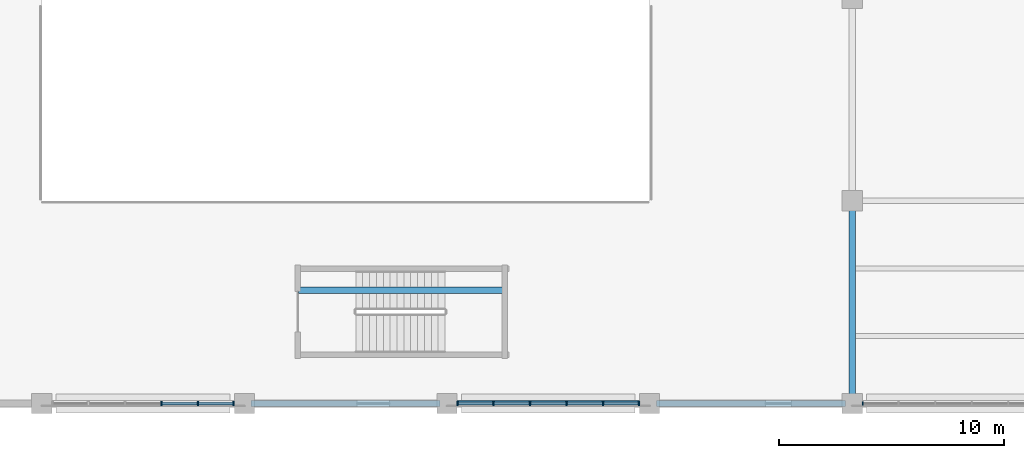
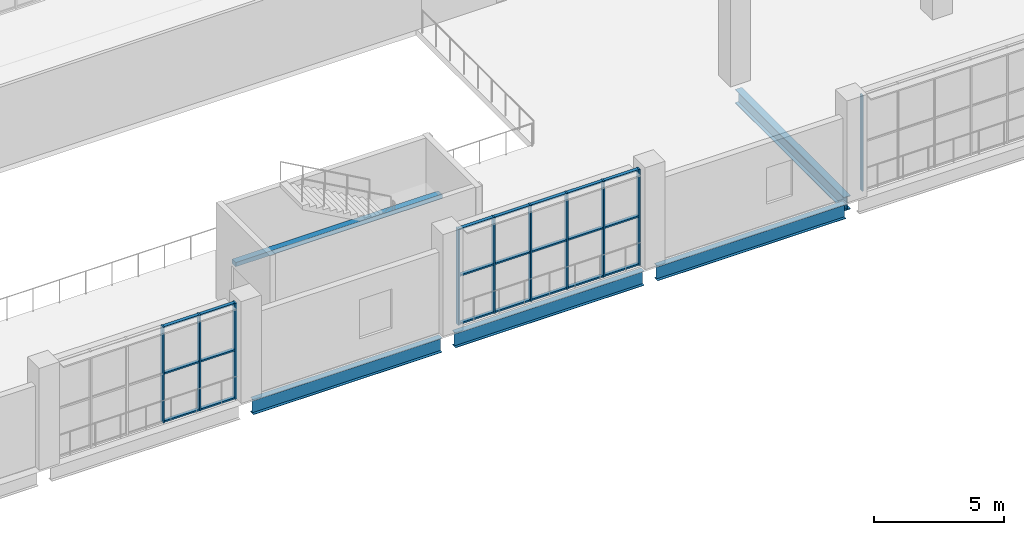
# One storey, part 5 of 183: 31 members, 5 beams, 3 elements without a shape of their own.
"""IFC4 building model written with IfcOpenShell, lengths in metres."""

import ifcopenshell
import ifcopenshell.guid

model = None  # the IFC model being written
_history = None  # IfcOwnerHistory: only IFC2X3 demands one
_inside = {}  # id of a spatial element -> (the spatial element, [elements in it])
_under = {}  # id of a project, library or spatial element -> (it, [spatial elements below it])
_declared = {}  # id of a project -> (the project, [libraries it declares])
_typed = {}  # id of a type object -> (the type object, [elements of that type])
_made_of = {}  # id of a material, layer set ... -> (it, [elements and type objects made of it])


def new_model(schema):
    """Start an empty IFC model of exactly this schema.

    Asked for "IFC4X3", IfcOpenShell would pick the latest addendum, in which some entities
    have other attributes; the version numbers below select the first issue.
    IFC2X3 requires an IfcOwnerHistory on every rooted entity: one is made here for all.
    """
    global model, _history
    if schema == "IFC4X3":
        model = ifcopenshell.file(schema_version=(4, 3, 0, 0))
    else:
        model = ifcopenshell.file(schema=schema)
    _inside.clear()
    _under.clear()
    _declared.clear()
    _typed.clear()
    _made_of.clear()
    _history = None
    if model.schema == "IFC2X3":
        org = make("IfcOrganization", Name="unknown")
        user = make(
            "IfcPersonAndOrganization",
            ThePerson=make("IfcPerson", FamilyName="unknown"),
            TheOrganization=org,
        )
        app = make(
            "IfcApplication",
            ApplicationDeveloper=org,
            Version="unknown",
            ApplicationFullName="unknown",
            ApplicationIdentifier="unknown",
        )
        _history = make(
            "IfcOwnerHistory",
            OwningUser=user,
            OwningApplication=app,
            ChangeAction="ADDED",
            CreationDate=0,
        )
    return model


def make(cls, **values):
    """One entity of the class cls with the attributes given. An attribute that is None is left unset."""
    return model.create_entity(
        cls, **{name: value for name, value in values.items() if value is not None}
    )


def rooted(cls, **values):
    """An entity with a GlobalId (a new one), such as an element, a storey or a relation."""
    return make(cls, GlobalId=ifcopenshell.guid.new(), OwnerHistory=_history, **values)


def si_unit(unit_type, name, prefix=None):
    """IfcSIUnit, for example si_unit("LENGTHUNIT", "METRE", prefix="MILLI")."""
    return make("IfcSIUnit", UnitType=unit_type, Prefix=prefix, Name=name)


def assignment(units):
    """IfcUnitAssignment: the units of a project."""
    return None if units is None else make("IfcUnitAssignment", Units=units)


def point(xyz):
    """IfcCartesianPoint."""
    return None if xyz is None else make("IfcCartesianPoint", Coordinates=xyz)


def direction(xyz):
    """IfcDirection."""
    return None if xyz is None else make("IfcDirection", DirectionRatios=xyz)


def frame(location, z_axis=None, x_axis=None):
    """IfcAxis2Placement3D, a coordinate frame: its origin and axes. An axis left out is left unset."""
    return make(
        "IfcAxis2Placement3D",
        Location=point(location),
        Axis=direction(z_axis),
        RefDirection=direction(x_axis),
    )


def frame_2d(location, x_axis=None):
    """IfcAxis2Placement2D, a coordinate frame in the plane: its origin and x axis."""
    return make(
        "IfcAxis2Placement2D", Location=point(location), RefDirection=direction(x_axis)
    )


def origin():
    """The frame at (0, 0, 0) with its axes left unset."""
    return frame((0.0, 0.0, 0.0))


def origin_2d():
    """The frame at (0, 0) in the plane with its x axis left unset."""
    return frame_2d((0.0, 0.0))


def place(relative_to, where):
    """IfcLocalPlacement: puts the frame where relative to a parent placement (None: the world)."""
    return make(
        "IfcLocalPlacement", PlacementRelTo=relative_to, RelativePlacement=where
    )


def context(
    kind, dimensions, precision=None, world=None, true_north=None, identifier=None
):
    """IfcGeometricRepresentationContext, for example the 3D "Model" context."""
    return make(
        "IfcGeometricRepresentationContext",
        ContextIdentifier=identifier,
        ContextType=kind,
        CoordinateSpaceDimension=dimensions,
        Precision=precision,
        WorldCoordinateSystem=world,
        TrueNorth=true_north,
    )


def subcontext(parent, identifier, kind, view, scale=None):
    """IfcGeometricRepresentationSubContext, for example "Body" below "Model"."""
    return make(
        "IfcGeometricRepresentationSubContext",
        ContextIdentifier=identifier,
        ContextType=kind,
        ParentContext=parent,
        TargetScale=scale,
        TargetView=view,
    )


def project(units=None, contexts=None):
    """IfcProject with its units and contexts."""
    return rooted(
        "IfcProject",
        Name="project",
        RepresentationContexts=contexts,
        UnitsInContext=assignment(units),
    )


def spatial(cls, under=None, at=None, **own):
    """A site, building, storey or space (cls), placed at a placement, below another one or the project."""
    s = rooted(cls, ObjectPlacement=at, **own)
    if under is not None:
        _under.setdefault(under.id(), (under, []))[1].append(s)
    return s


def profile(cls, at=None, kind="AREA", **sizes):
    """A parametric profile (cls). Its sizes go by their IFC names, for example OverallWidth=200.0."""
    return make(cls, ProfileType=kind, Position=at, **sizes)


def rectangle(**sizes):
    """IfcRectangleProfileDef."""
    return profile("IfcRectangleProfileDef", **sizes)


def i_section(**sizes):
    """IfcIShapeProfileDef."""
    return profile("IfcIShapeProfileDef", **sizes)


def extrude(swept, where, along, depth):
    """IfcExtrudedAreaSolid: the profile swept, set in the frame where, extruded along a direction by depth."""
    return make(
        "IfcExtrudedAreaSolid",
        SweptArea=swept,
        Position=where,
        ExtrudedDirection=direction(along),
        Depth=depth,
    )


def shape(context_of_items, identifier, shape_type, items):
    """IfcShapeRepresentation: the items that make up one representation, for example the "Body"."""
    return make(
        "IfcShapeRepresentation",
        ContextOfItems=context_of_items,
        RepresentationIdentifier=identifier,
        RepresentationType=shape_type,
        Items=items,
    )


def material(Name=None, Category=None):
    """IfcMaterial."""
    return make("IfcMaterial", Name=Name, Category=Category)


def material_profile(
    of_material, cross_section, Name=None, Category=None, Priority=None
):
    """IfcMaterialProfile: a cross section and its material."""
    return make(
        "IfcMaterialProfile",
        Name=Name,
        Material=of_material,
        Profile=cross_section,
        Priority=Priority,
        Category=Category,
    )


def profile_set(profiles, Name=None, composite=None):
    """IfcMaterialProfileSet."""
    return make(
        "IfcMaterialProfileSet",
        Name=Name,
        MaterialProfiles=profiles,
        CompositeProfile=composite,
    )


def made_of(thing, what):
    """Note that an element or type object is made of a material, layer set ...; save() writes the relation."""
    if what is not None:
        _made_of.setdefault(what.id(), (what, []))[1].append(thing)
    return thing


def type_object(cls, material=None, **own):
    """A type object (cls), such as IfcWallType, which elements share."""
    return made_of(rooted(cls, **own), material)


def element(
    cls,
    number,
    at=None,
    inside=None,
    cuts=None,
    type_object=None,
    material=None,
    context=None,
    identifier="Body",
    shape_type=None,
    held_by="IfcProductDefinitionShape",
    body=None,
    shapes=None,
    **own,
):
    """One element of the class cls, such as IfcWall. Its Tag is "e" and its number.

    at: its placement. inside: the storey or other place that contains it. cuts: it is an
    opening in that element (IfcRelVoidsElement). A single representation is given by context,
    identifier, shape_type and body (its items); several are given by shapes. held_by: the class
    of the entity that holds the representations. save() writes the other relations.
    """
    e = rooted(cls, Tag="e%d" % number, ObjectPlacement=at, **own)
    if body is not None:
        shapes = [shape(context, identifier, shape_type, body)]
    if shapes is not None:
        e.Representation = make(held_by, Representations=shapes)
    if inside is not None:
        _inside.setdefault(inside.id(), (inside, []))[1].append(e)
    if cuts is not None:
        rooted(
            "IfcRelVoidsElement", RelatingBuildingElement=cuts, RelatedOpeningElement=e
        )
    if type_object is not None:
        _typed.setdefault(type_object.id(), (type_object, []))[1].append(e)
    return made_of(e, material)


def aggregate(whole, parts):
    """IfcRelAggregates: a whole, such as a stair, and the parts it consists of."""
    return rooted("IfcRelAggregates", RelatingObject=whole, RelatedObjects=parts)


def save(model, path):
    """Write the relations noted so far, then the file.

    IfcRelAggregates (storeys below a building ...), IfcRelContainedInSpatialStructure (elements
    in a storey), IfcRelDefinesByType, IfcRelAssociatesMaterial and IfcRelDeclares: one each for
    every whole, place, type object, material and project.
    """
    for whole, parts in _under.values():
        aggregate(whole, parts)
    for where, things in _inside.values():
        rooted(
            "IfcRelContainedInSpatialStructure",
            RelatedElements=things,
            RelatingStructure=where,
        )
    for kind, things in _typed.values():
        rooted("IfcRelDefinesByType", RelatedObjects=things, RelatingType=kind)
    for what, things in _made_of.values():
        rooted("IfcRelAssociatesMaterial", RelatedObjects=things, RelatingMaterial=what)
    for by, libraries in _declared.values():
        rooted("IfcRelDeclares", RelatingContext=by, RelatedDefinitions=libraries)
    model.write(path)


model = new_model("IFC4")

# Units and contexts
model_context = context("Model", 3, precision=1e-05, world=origin(), true_north=direction((0.0, 1.0)))
body_context = subcontext(model_context, "Body", "Model", "MODEL_VIEW")
ifc_project = project(units=[si_unit("LENGTHUNIT", "METRE"), si_unit("AREAUNIT", "SQUARE_METRE"), si_unit("VOLUMEUNIT", "CUBIC_METRE"), si_unit("PLANEANGLEUNIT", "RADIAN"), si_unit("MASSUNIT", "GRAM", prefix="KILO")], contexts=[model_context])

# Site, building, storey
site_placement = place(None, origin())
site = spatial("IfcSite", under=ifc_project, at=site_placement, CompositionType="ELEMENT")
building_placement = place(site_placement, origin())
building = spatial("IfcBuilding", under=site, at=building_placement, Name="Zevraka Park Crest Stadium", CompositionType="ELEMENT")
storey_placement = place(building_placement, frame((0.0, 0.0, 5.39990234375)))
storey = spatial("IfcBuildingStorey", under=building, at=storey_placement, Name="L01", CompositionType="ELEMENT", Elevation=5.39990234375)

# Beams
ifc_material_1 = material(Name="Steel S355", Category="steel")
ifc_material_profile_1 = material_profile(ifc_material_1, i_section(OverallWidth=0.253662109375, OverallDepth=0.68359375, WebThickness=0.012451171875, FlangeThickness=0.01904296875, at=origin_2d()), Name="UKB 686x254x140")
ifc_profile_set_1 = profile_set([ifc_material_profile_1], Name="Steel S355")
beam_type_1 = type_object("IfcBeamType", Name="BG05", PredefinedType="BEAM", material=ifc_profile_set_1)
for number, where, z_axis, x_axis, name in (
    (1, (36.300048828125, 0.0, -0.649658203125), (1.0, 0.0, 0.0), (0.0, 1.0, 0.0), "Wing Girder BG05 L01-56/A"),
    (2, (45.300048828125, 0.0, -0.649658203125), (1.0, 0.0, 0.0), (0.0, 1.0, 0.0), "Wing Girder BG05 L01-67/A"),
    (3, (54.300048828125, 0.0, -0.649658203125), (1.0, 0.0, 0.0), (0.0, 1.0, 0.0), "Wing Girder BG05 L01-78/A"),
):
    element("IfcBeam", number, at=place(storey_placement, frame(where, z_axis=z_axis, x_axis=x_axis)), inside=storey, type_object=beam_type_1, Name=name, PredefinedType="BEAM", context=body_context, shape_type="SweptSolid", body=[
        extrude(i_section(OverallWidth=0.253662109375, OverallDepth=0.68359375, WebThickness=0.012451171875, FlangeThickness=0.01904296875, at=origin_2d()), origin(), (0.0, 0.0, 1.0), 8.39990234375),
    ])
ifc_material_2 = material(Name="Steel S355", Category="steel")
ifc_material_profile_2 = material_profile(ifc_material_2, i_section(OverallWidth=0.300048828125, OverallDepth=0.64990234375, WebThickness=0.01611328125, FlangeThickness=0.031005859375, at=origin_2d()), Name="HEB 650")
ifc_profile_set_2 = profile_set([ifc_material_profile_2], Name="Steel S355")
beam_type_2 = type_object("IfcBeamType", Name="BG07", PredefinedType="BEAM", material=ifc_profile_set_2)
beam_1_placement = place(storey_placement, frame((63.0, 0.300048828125, -0.6328125), z_axis=(0.0, 1.0, 0.0), x_axis=(-1.0, 0.0, 0.0)))
element("IfcBeam", 4, at=beam_1_placement, inside=storey, type_object=beam_type_2, Name="Wing Girder BG07 L01-8/AB", PredefinedType="BEAM", context=body_context, shape_type="SweptSolid", body=[
    extrude(i_section(OverallWidth=0.300048828125, OverallDepth=0.64990234375, WebThickness=0.01611328125, FlangeThickness=0.031005859375, at=origin_2d()), origin(), (0.0, 0.0, 1.0), 8.39990234375),
])

# Curtain wall, member
ifc_material_3 = material(Name="Anodised architectural aluminium and laminated safety glass", Category="aluminium")
curtain_wall_type_1 = type_object("IfcCurtainWallType", Name="CW28", PredefinedType="NOTDEFINED", material=ifc_material_3)
curtain_wall_1_placement = place(storey_placement, origin())
curtain_wall_1 = element("IfcCurtainWall", 5, at=curtain_wall_1_placement, inside=storey, type_object=curtain_wall_type_1, Name="Wing Curtain Wall CW28 L01-SW-S1-2", PredefinedType="NOTDEFINED")
ifc_material_4 = material(Name="Anodised architectural aluminium", Category="aluminium")
ifc_material_profile_3 = material_profile(ifc_material_4, rectangle(XDim=0.159912109375, YDim=0.06005859375, at=origin_2d()), Name="ALU MULLION 160x60")
ifc_profile_set_3 = profile_set([ifc_material_profile_3], Name="Anodised architectural aluminium")
member_type_1 = type_object("IfcMemberType", Name="CM01", PredefinedType="MULLION", material=ifc_profile_set_3)
member_1_placement = place(storey_placement, frame((63.469970703125, 0.0, 0.0), z_axis=(0.0, 0.0, 1.0), x_axis=(0.0, -1.0, 0.0)))
member_1 = element("IfcMember", 6, at=member_1_placement, type_object=member_type_1, Name="CW28 mullion 6", PredefinedType="MULLION", context=body_context, shape_type="SweptSolid", body=[
    extrude(rectangle(XDim=0.159912109375, YDim=0.06005859375, at=origin_2d()), origin(), (0.0, 0.0, 1.0), 4.52001953125),
])
aggregate(curtain_wall_1, [member_1])

# Curtain wall, members
ifc_material_5 = material(Name="Anodised architectural aluminium and laminated safety glass", Category="aluminium")
curtain_wall_type_2 = type_object("IfcCurtainWallType", Name="CW30", PredefinedType="NOTDEFINED", material=ifc_material_5)
curtain_wall_2_placement = place(storey_placement, origin())
curtain_wall_2 = element("IfcCurtainWall", 7, at=curtain_wall_2_placement, inside=storey, type_object=curtain_wall_type_2, Name="Wing Curtain Wall CW30 L01-SW-S1-4", PredefinedType="NOTDEFINED")
ifc_material_6 = material(Name="Anodised architectural aluminium", Category="aluminium")
ifc_material_profile_4 = material_profile(ifc_material_6, rectangle(XDim=0.199951171875, YDim=0.070068359375, at=origin_2d()), Name="ALU MULLION 200x70")
ifc_profile_set_4 = profile_set([ifc_material_profile_4], Name="Anodised architectural aluminium")
member_type_2 = type_object("IfcMemberType", Name="CM03", PredefinedType="MULLION", material=ifc_profile_set_4)
member_2_placement = place(storey_placement, frame((53.52490234375, 0.0, 0.0), z_axis=(0.0, 0.0, 1.0), x_axis=(0.0, -1.0, 0.0)))
member_2 = element("IfcMember", 8, at=member_2_placement, type_object=member_type_2, Name="CW30 mullion 1", PredefinedType="MULLION", context=body_context, shape_type="SweptSolid", body=[
    extrude(rectangle(XDim=0.199951171875, YDim=0.070068359375, at=origin_2d()), origin(), (0.0, 0.0, 1.0), 4.52001953125),
])
member_3_placement = place(storey_placement, frame((51.93603515625, 0.0, 0.0), z_axis=(0.0, 0.0, 1.0), x_axis=(0.0, -1.0, 0.0)))
member_3 = element("IfcMember", 9, at=member_3_placement, type_object=member_type_2, Name="CW30 mullion 2", PredefinedType="MULLION", context=body_context, shape_type="SweptSolid", body=[
    extrude(rectangle(XDim=0.199951171875, YDim=0.070068359375, at=origin_2d()), origin(), (0.0, 0.0, 1.0), 4.52001953125),
])
member_4_placement = place(storey_placement, frame((50.31201171875, 0.0, 0.0), z_axis=(0.0, 0.0, 1.0), x_axis=(0.0, -1.0, 0.0)))
member_4 = element("IfcMember", 10, at=member_4_placement, type_object=member_type_2, Name="CW30 mullion 3", PredefinedType="MULLION", context=body_context, shape_type="SweptSolid", body=[
    extrude(rectangle(XDim=0.199951171875, YDim=0.070068359375, at=origin_2d()), origin(), (0.0, 0.0, 1.0), 4.52001953125),
])
member_5_placement = place(storey_placement, frame((48.68798828125, 0.0, 0.0), z_axis=(0.0, 0.0, 1.0), x_axis=(0.0, -1.0, 0.0)))
member_5 = element("IfcMember", 11, at=member_5_placement, type_object=member_type_2, Name="CW30 mullion 4", PredefinedType="MULLION", context=body_context, shape_type="SweptSolid", body=[
    extrude(rectangle(XDim=0.199951171875, YDim=0.070068359375, at=origin_2d()), origin(), (0.0, 0.0, 1.0), 4.52001953125),
])
member_6_placement = place(storey_placement, frame((47.06396484375, 0.0, 0.0), z_axis=(0.0, 0.0, 1.0), x_axis=(0.0, -1.0, 0.0)))
member_6 = element("IfcMember", 12, at=member_6_placement, type_object=member_type_2, Name="CW30 mullion 5", PredefinedType="MULLION", context=body_context, shape_type="SweptSolid", body=[
    extrude(rectangle(XDim=0.199951171875, YDim=0.070068359375, at=origin_2d()), origin(), (0.0, 0.0, 1.0), 4.52001953125),
])
member_7_placement = place(storey_placement, frame((45.47509765625, 0.0, 0.0), z_axis=(0.0, 0.0, 1.0), x_axis=(0.0, -1.0, 0.0)))
member_7 = element("IfcMember", 13, at=member_7_placement, type_object=member_type_2, Name="CW30 mullion 6", PredefinedType="MULLION", context=body_context, shape_type="SweptSolid", body=[
    extrude(rectangle(XDim=0.199951171875, YDim=0.070068359375, at=origin_2d()), origin(), (0.0, 0.0, 1.0), 4.52001953125),
])

ifc_material_7 = material(Name="Anodised architectural aluminium and laminated safety glass", Category="aluminium")
curtain_wall_type_3 = type_object("IfcCurtainWallType", Name="CW27", PredefinedType="NOTDEFINED", material=ifc_material_7)
curtain_wall_3_placement = place(storey_placement, origin())
curtain_wall_3 = element("IfcCurtainWall", 14, at=curtain_wall_3_placement, inside=storey, type_object=curtain_wall_type_3, Name="Wing Curtain Wall CW27 L01-SW-S1-6", PredefinedType="NOTDEFINED")
member_8_placement = place(storey_placement, frame((35.52490234375, 0.0, 0.0), z_axis=(0.0, 0.0, 1.0), x_axis=(0.0, -1.0, 0.0)))
member_8 = element("IfcMember", 15, at=member_8_placement, type_object=member_type_2, Name="CW27 mullion 1", PredefinedType="MULLION", context=body_context, shape_type="SweptSolid", body=[
    extrude(rectangle(XDim=0.199951171875, YDim=0.070068359375, at=origin_2d()), origin(), (0.0, 0.0, 1.0), 4.52001953125),
])
member_9_placement = place(storey_placement, frame((33.93603515625, 0.0, 0.0), z_axis=(0.0, 0.0, 1.0), x_axis=(0.0, -1.0, 0.0)))
member_9 = element("IfcMember", 16, at=member_9_placement, type_object=member_type_2, Name="CW27 mullion 2", PredefinedType="MULLION", context=body_context, shape_type="SweptSolid", body=[
    extrude(rectangle(XDim=0.199951171875, YDim=0.070068359375, at=origin_2d()), origin(), (0.0, 0.0, 1.0), 4.52001953125),
])
member_10_placement = place(storey_placement, frame((32.31201171875, 0.0, 0.0), z_axis=(0.0, 0.0, 1.0), x_axis=(0.0, -1.0, 0.0)))
member_10 = element("IfcMember", 17, at=member_10_placement, type_object=member_type_2, Name="CW27 mullion 3", PredefinedType="MULLION", context=body_context, shape_type="SweptSolid", body=[
    extrude(rectangle(XDim=0.199951171875, YDim=0.070068359375, at=origin_2d()), origin(), (0.0, 0.0, 1.0), 4.52001953125),
])

# Member
ifc_material_8 = material(Name="Anodised architectural aluminium", Category="aluminium")
ifc_material_profile_5 = material_profile(ifc_material_8, rectangle(XDim=0.14990234375, YDim=0.070068359375, at=origin_2d()), Name="ALU TRANSOM 150x70")
ifc_profile_set_5 = profile_set([ifc_material_profile_5], Name="Anodised architectural aluminium")
member_type_3 = type_object("IfcMemberType", Name="CT03", PredefinedType="USERDEFINED", material=ifc_profile_set_5)
member_11_placement = place(storey_placement, frame((53.489990234375, 0.0, 0.03515625), z_axis=(-1.0, 0.0, 0.0), x_axis=(0.0, -1.0, 0.0)))
member_11 = element("IfcMember", 18, at=member_11_placement, type_object=member_type_3, Name="CW30 transom 1.1", ObjectType="TRANSOM", PredefinedType="USERDEFINED", context=body_context, shape_type="SweptSolid", body=[
    extrude(rectangle(XDim=0.14990234375, YDim=0.070068359375, at=origin_2d()), origin(), (0.0, 0.0, 1.0), 1.51904296875),
])

member_12_placement = place(storey_placement, frame((53.489990234375, 0.0, 2.300048828125), z_axis=(-1.0, 0.0, 0.0), x_axis=(0.0, -1.0, 0.0)))
member_12 = element("IfcMember", 19, at=member_12_placement, type_object=member_type_3, Name="CW30 transom 1.2", ObjectType="TRANSOM", PredefinedType="USERDEFINED", context=body_context, shape_type="SweptSolid", body=[
    extrude(rectangle(XDim=0.14990234375, YDim=0.070068359375, at=origin_2d()), origin(), (0.0, 0.0, 1.0), 1.51904296875),
])

member_13_placement = place(storey_placement, frame((53.489990234375, 0.0, 4.485107421875), z_axis=(-1.0, 0.0, 0.0), x_axis=(0.0, -1.0, 0.0)))
member_13 = element("IfcMember", 20, at=member_13_placement, type_object=member_type_3, Name="CW30 transom 1.3", ObjectType="TRANSOM", PredefinedType="USERDEFINED", context=body_context, shape_type="SweptSolid", body=[
    extrude(rectangle(XDim=0.14990234375, YDim=0.070068359375, at=origin_2d()), origin(), (0.0, 0.0, 1.0), 1.51904296875),
])

member_14_placement = place(storey_placement, frame((51.90087890625, 0.0, 0.03515625), z_axis=(-1.0, 0.0, 0.0), x_axis=(0.0, -1.0, 0.0)))
member_14 = element("IfcMember", 21, at=member_14_placement, type_object=member_type_3, Name="CW30 transom 2.1", ObjectType="TRANSOM", PredefinedType="USERDEFINED", context=body_context, shape_type="SweptSolid", body=[
    extrude(rectangle(XDim=0.14990234375, YDim=0.070068359375, at=origin_2d()), origin(), (0.0, 0.0, 1.0), 1.553955078125),
])

member_15_placement = place(storey_placement, frame((51.90087890625, 0.0, 2.300048828125), z_axis=(-1.0, 0.0, 0.0), x_axis=(0.0, -1.0, 0.0)))
member_15 = element("IfcMember", 22, at=member_15_placement, type_object=member_type_3, Name="CW30 transom 2.2", ObjectType="TRANSOM", PredefinedType="USERDEFINED", context=body_context, shape_type="SweptSolid", body=[
    extrude(rectangle(XDim=0.14990234375, YDim=0.070068359375, at=origin_2d()), origin(), (0.0, 0.0, 1.0), 1.553955078125),
])

member_16_placement = place(storey_placement, frame((51.90087890625, 0.0, 4.485107421875), z_axis=(-1.0, 0.0, 0.0), x_axis=(0.0, -1.0, 0.0)))
member_16 = element("IfcMember", 23, at=member_16_placement, type_object=member_type_3, Name="CW30 transom 2.3", ObjectType="TRANSOM", PredefinedType="USERDEFINED", context=body_context, shape_type="SweptSolid", body=[
    extrude(rectangle(XDim=0.14990234375, YDim=0.070068359375, at=origin_2d()), origin(), (0.0, 0.0, 1.0), 1.553955078125),
])

member_17_placement = place(storey_placement, frame((50.277099609375, 0.0, 0.03515625), z_axis=(-1.0, 0.0, 0.0), x_axis=(0.0, -1.0, 0.0)))
member_17 = element("IfcMember", 24, at=member_17_placement, type_object=member_type_3, Name="CW30 transom 3.1", ObjectType="TRANSOM", PredefinedType="USERDEFINED", context=body_context, shape_type="SweptSolid", body=[
    extrude(rectangle(XDim=0.14990234375, YDim=0.070068359375, at=origin_2d()), origin(), (0.0, 0.0, 1.0), 1.55419921875),
])

member_18_placement = place(storey_placement, frame((50.277099609375, 0.0, 2.300048828125), z_axis=(-1.0, 0.0, 0.0), x_axis=(0.0, -1.0, 0.0)))
member_18 = element("IfcMember", 25, at=member_18_placement, type_object=member_type_3, Name="CW30 transom 3.2", ObjectType="TRANSOM", PredefinedType="USERDEFINED", context=body_context, shape_type="SweptSolid", body=[
    extrude(rectangle(XDim=0.14990234375, YDim=0.070068359375, at=origin_2d()), origin(), (0.0, 0.0, 1.0), 1.55419921875),
])

member_19_placement = place(storey_placement, frame((50.277099609375, 0.0, 4.485107421875), z_axis=(-1.0, 0.0, 0.0), x_axis=(0.0, -1.0, 0.0)))
member_19 = element("IfcMember", 26, at=member_19_placement, type_object=member_type_3, Name="CW30 transom 3.3", ObjectType="TRANSOM", PredefinedType="USERDEFINED", context=body_context, shape_type="SweptSolid", body=[
    extrude(rectangle(XDim=0.14990234375, YDim=0.070068359375, at=origin_2d()), origin(), (0.0, 0.0, 1.0), 1.55419921875),
])

member_20_placement = place(storey_placement, frame((48.653076171875, 0.0, 0.03515625), z_axis=(-1.0, 0.0, 0.0), x_axis=(0.0, -1.0, 0.0)))
member_20 = element("IfcMember", 27, at=member_20_placement, type_object=member_type_3, Name="CW30 transom 4.1", ObjectType="TRANSOM", PredefinedType="USERDEFINED", context=body_context, shape_type="SweptSolid", body=[
    extrude(rectangle(XDim=0.14990234375, YDim=0.070068359375, at=origin_2d()), origin(), (0.0, 0.0, 1.0), 1.553955078125),
])

member_21_placement = place(storey_placement, frame((48.653076171875, 0.0, 2.300048828125), z_axis=(-1.0, 0.0, 0.0), x_axis=(0.0, -1.0, 0.0)))
member_21 = element("IfcMember", 28, at=member_21_placement, type_object=member_type_3, Name="CW30 transom 4.2", ObjectType="TRANSOM", PredefinedType="USERDEFINED", context=body_context, shape_type="SweptSolid", body=[
    extrude(rectangle(XDim=0.14990234375, YDim=0.070068359375, at=origin_2d()), origin(), (0.0, 0.0, 1.0), 1.553955078125),
])

member_22_placement = place(storey_placement, frame((48.653076171875, 0.0, 4.485107421875), z_axis=(-1.0, 0.0, 0.0), x_axis=(0.0, -1.0, 0.0)))
member_22 = element("IfcMember", 29, at=member_22_placement, type_object=member_type_3, Name="CW30 transom 4.3", ObjectType="TRANSOM", PredefinedType="USERDEFINED", context=body_context, shape_type="SweptSolid", body=[
    extrude(rectangle(XDim=0.14990234375, YDim=0.070068359375, at=origin_2d()), origin(), (0.0, 0.0, 1.0), 1.553955078125),
])

member_23_placement = place(storey_placement, frame((47.029052734375, 0.0, 0.03515625), z_axis=(-1.0, 0.0, 0.0), x_axis=(0.0, -1.0, 0.0)))
member_23 = element("IfcMember", 30, at=member_23_placement, type_object=member_type_3, Name="CW30 transom 5.1", ObjectType="TRANSOM", PredefinedType="USERDEFINED", context=body_context, shape_type="SweptSolid", body=[
    extrude(rectangle(XDim=0.14990234375, YDim=0.070068359375, at=origin_2d()), origin(), (0.0, 0.0, 1.0), 1.51904296875),
])

member_24_placement = place(storey_placement, frame((47.029052734375, 0.0, 2.300048828125), z_axis=(-1.0, 0.0, 0.0), x_axis=(0.0, -1.0, 0.0)))
member_24 = element("IfcMember", 31, at=member_24_placement, type_object=member_type_3, Name="CW30 transom 5.2", ObjectType="TRANSOM", PredefinedType="USERDEFINED", context=body_context, shape_type="SweptSolid", body=[
    extrude(rectangle(XDim=0.14990234375, YDim=0.070068359375, at=origin_2d()), origin(), (0.0, 0.0, 1.0), 1.51904296875),
])

member_25_placement = place(storey_placement, frame((47.029052734375, 0.0, 4.485107421875), z_axis=(-1.0, 0.0, 0.0), x_axis=(0.0, -1.0, 0.0)))
member_25 = element("IfcMember", 32, at=member_25_placement, type_object=member_type_3, Name="CW30 transom 5.3", ObjectType="TRANSOM", PredefinedType="USERDEFINED", context=body_context, shape_type="SweptSolid", body=[
    extrude(rectangle(XDim=0.14990234375, YDim=0.070068359375, at=origin_2d()), origin(), (0.0, 0.0, 1.0), 1.51904296875),
])

aggregate(curtain_wall_2, [member_2, member_3, member_4, member_5, member_6, member_7, member_11, member_12, member_13, member_14, member_15, member_16, member_17, member_18, member_19, member_20, member_21, member_22, member_23, member_24, member_25])

member_26_placement = place(storey_placement, frame((35.489990234375, 0.0, 0.03515625), z_axis=(-1.0, 0.0, 0.0), x_axis=(0.0, -1.0, 0.0)))
member_26 = element("IfcMember", 33, at=member_26_placement, type_object=member_type_3, Name="CW27 transom 1.1", ObjectType="TRANSOM", PredefinedType="USERDEFINED", context=body_context, shape_type="SweptSolid", body=[
    extrude(rectangle(XDim=0.14990234375, YDim=0.070068359375, at=origin_2d()), origin(), (0.0, 0.0, 1.0), 1.51904296875),
])

member_27_placement = place(storey_placement, frame((35.489990234375, 0.0, 2.300048828125), z_axis=(-1.0, 0.0, 0.0), x_axis=(0.0, -1.0, 0.0)))
member_27 = element("IfcMember", 34, at=member_27_placement, type_object=member_type_3, Name="CW27 transom 1.2", ObjectType="TRANSOM", PredefinedType="USERDEFINED", context=body_context, shape_type="SweptSolid", body=[
    extrude(rectangle(XDim=0.14990234375, YDim=0.070068359375, at=origin_2d()), origin(), (0.0, 0.0, 1.0), 1.51904296875),
])

member_28_placement = place(storey_placement, frame((35.489990234375, 0.0, 4.485107421875), z_axis=(-1.0, 0.0, 0.0), x_axis=(0.0, -1.0, 0.0)))
member_28 = element("IfcMember", 35, at=member_28_placement, type_object=member_type_3, Name="CW27 transom 1.3", ObjectType="TRANSOM", PredefinedType="USERDEFINED", context=body_context, shape_type="SweptSolid", body=[
    extrude(rectangle(XDim=0.14990234375, YDim=0.070068359375, at=origin_2d()), origin(), (0.0, 0.0, 1.0), 1.51904296875),
])

member_29_placement = place(storey_placement, frame((33.90087890625, 0.0, 0.03515625), z_axis=(-1.0, 0.0, 0.0), x_axis=(0.0, -1.0, 0.0)))
member_29 = element("IfcMember", 36, at=member_29_placement, type_object=member_type_3, Name="CW27 transom 2.1", ObjectType="TRANSOM", PredefinedType="USERDEFINED", context=body_context, shape_type="SweptSolid", body=[
    extrude(rectangle(XDim=0.14990234375, YDim=0.070068359375, at=origin_2d()), origin(), (0.0, 0.0, 1.0), 1.553955078125),
])

member_30_placement = place(storey_placement, frame((33.90087890625, 0.0, 2.300048828125), z_axis=(-1.0, 0.0, 0.0), x_axis=(0.0, -1.0, 0.0)))
member_30 = element("IfcMember", 37, at=member_30_placement, type_object=member_type_3, Name="CW27 transom 2.2", ObjectType="TRANSOM", PredefinedType="USERDEFINED", context=body_context, shape_type="SweptSolid", body=[
    extrude(rectangle(XDim=0.14990234375, YDim=0.070068359375, at=origin_2d()), origin(), (0.0, 0.0, 1.0), 1.553955078125),
])

member_31_placement = place(storey_placement, frame((33.90087890625, 0.0, 4.485107421875), z_axis=(-1.0, 0.0, 0.0), x_axis=(0.0, -1.0, 0.0)))
member_31 = element("IfcMember", 38, at=member_31_placement, type_object=member_type_3, Name="CW27 transom 2.3", ObjectType="TRANSOM", PredefinedType="USERDEFINED", context=body_context, shape_type="SweptSolid", body=[
    extrude(rectangle(XDim=0.14990234375, YDim=0.070068359375, at=origin_2d()), origin(), (0.0, 0.0, 1.0), 1.553955078125),
])

aggregate(curtain_wall_3, [member_8, member_9, member_10, member_26, member_27, member_28, member_29, member_30, member_31])

# Beam
ifc_material_9 = material(Name="Concrete C40/50", Category="concrete")
ifc_material_profile_6 = material_profile(ifc_material_9, rectangle(XDim=0.280029296875, YDim=0.199951171875, at=origin_2d()), Name="RC 200x280")
ifc_profile_set_6 = profile_set([ifc_material_profile_6], Name="Concrete C40/50")
beam_type_3 = type_object("IfcBeamType", Name="SJ13", PredefinedType="JOIST", material=ifc_profile_set_6)
beam_2_placement = place(storey_placement, frame((38.39990234375, 5.034912109375, 2.300048828125), z_axis=(1.0, 0.0, 0.0), x_axis=(0.0, 1.0, 0.0)))
element("IfcBeam", 39, at=beam_2_placement, inside=storey, type_object=beam_type_3, Name="Stair Upper-Flight Longitudinal Stringer SJ13 ST52-L01", PredefinedType="JOIST", context=body_context, shape_type="SweptSolid", body=[
    extrude(rectangle(XDim=0.280029296875, YDim=0.199951171875, at=origin_2d()), origin(), (0.0, 0.0, 1.0), 9.2001953125),
])

save(model, "model.ifc")
